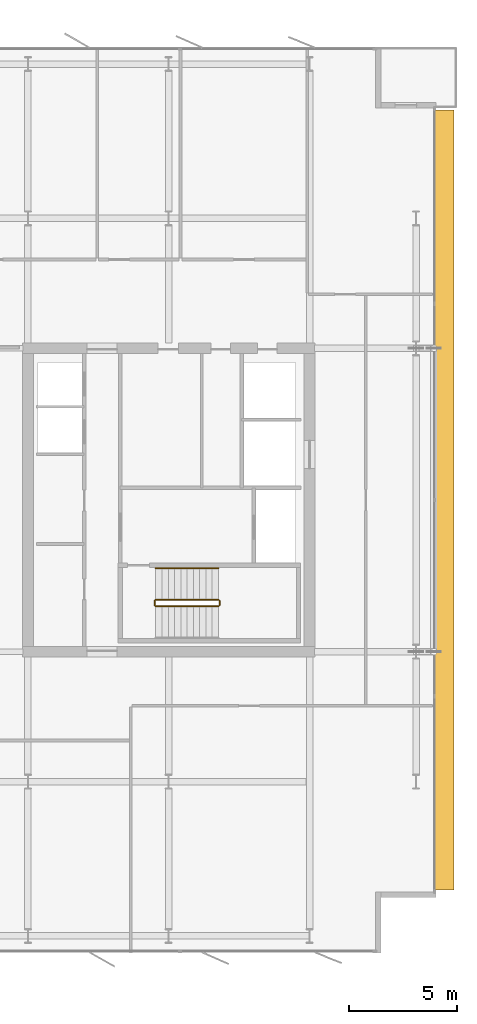
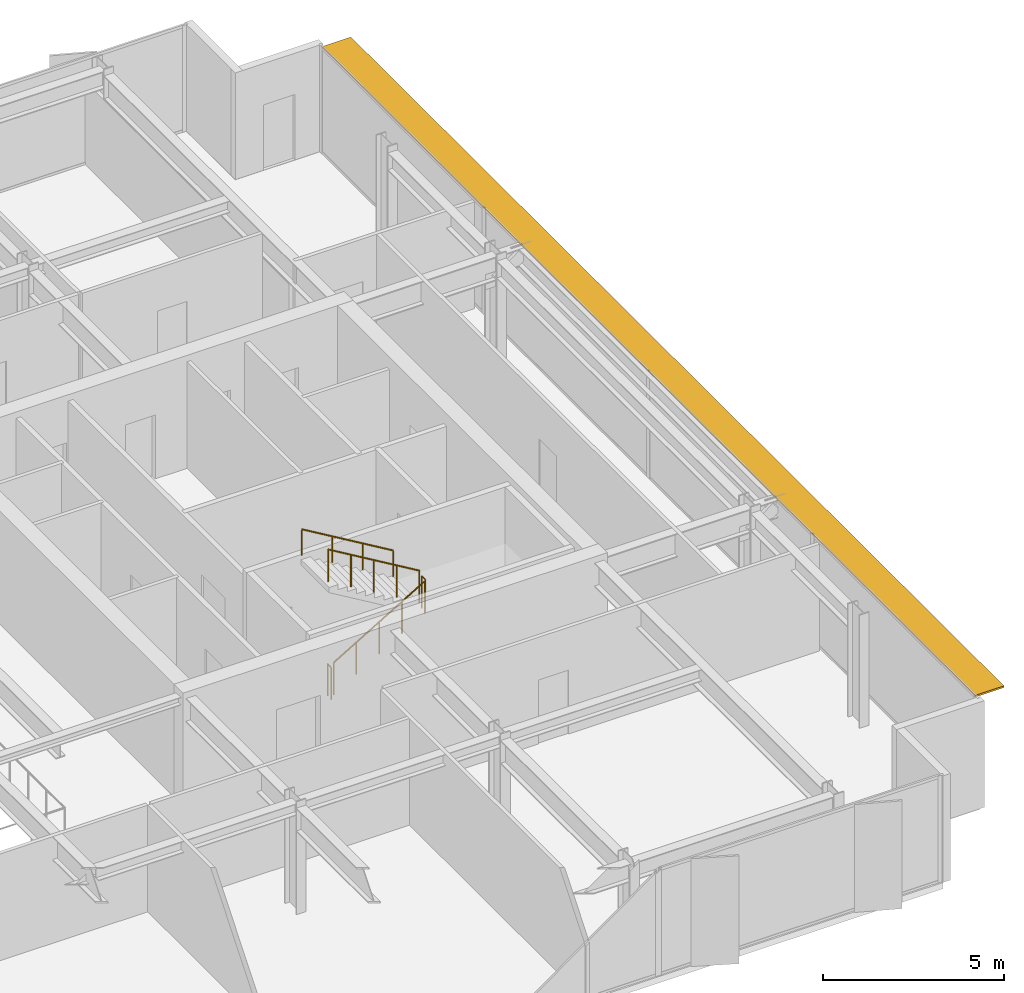
# One storey, part 18 of 19: 5 railings, 1 shading device.
"""IFC4 building model written with IfcOpenShell, lengths in metres."""

import ifcopenshell
import ifcopenshell.guid

model = None  # the IFC model being written
_history = None  # IfcOwnerHistory: only IFC2X3 demands one
_inside = {}  # id of a spatial element -> (the spatial element, [elements in it])
_under = {}  # id of a project, library or spatial element -> (it, [spatial elements below it])
_declared = {}  # id of a project -> (the project, [libraries it declares])
_typed = {}  # id of a type object -> (the type object, [elements of that type])
_made_of = {}  # id of a material, layer set ... -> (it, [elements and type objects made of it])


def new_model(schema):
    """Start an empty IFC model of exactly this schema.

    Asked for "IFC4X3", IfcOpenShell would pick the latest addendum, in which some entities
    have other attributes; the version numbers below select the first issue.
    IFC2X3 requires an IfcOwnerHistory on every rooted entity: one is made here for all.
    """
    global model, _history
    if schema == "IFC4X3":
        model = ifcopenshell.file(schema_version=(4, 3, 0, 0))
    else:
        model = ifcopenshell.file(schema=schema)
    _inside.clear()
    _under.clear()
    _declared.clear()
    _typed.clear()
    _made_of.clear()
    _history = None
    if model.schema == "IFC2X3":
        org = make("IfcOrganization", Name="unknown")
        user = make(
            "IfcPersonAndOrganization",
            ThePerson=make("IfcPerson", FamilyName="unknown"),
            TheOrganization=org,
        )
        app = make(
            "IfcApplication",
            ApplicationDeveloper=org,
            Version="unknown",
            ApplicationFullName="unknown",
            ApplicationIdentifier="unknown",
        )
        _history = make(
            "IfcOwnerHistory",
            OwningUser=user,
            OwningApplication=app,
            ChangeAction="ADDED",
            CreationDate=0,
        )
    return model


def make(cls, **values):
    """One entity of the class cls with the attributes given. An attribute that is None is left unset."""
    return model.create_entity(
        cls, **{name: value for name, value in values.items() if value is not None}
    )


def rooted(cls, **values):
    """An entity with a GlobalId (a new one), such as an element, a storey or a relation."""
    return make(cls, GlobalId=ifcopenshell.guid.new(), OwnerHistory=_history, **values)


def si_unit(unit_type, name, prefix=None):
    """IfcSIUnit, for example si_unit("LENGTHUNIT", "METRE", prefix="MILLI")."""
    return make("IfcSIUnit", UnitType=unit_type, Prefix=prefix, Name=name)


def assignment(units):
    """IfcUnitAssignment: the units of a project."""
    return None if units is None else make("IfcUnitAssignment", Units=units)


def point(xyz):
    """IfcCartesianPoint."""
    return None if xyz is None else make("IfcCartesianPoint", Coordinates=xyz)


def direction(xyz):
    """IfcDirection."""
    return None if xyz is None else make("IfcDirection", DirectionRatios=xyz)


def frame(location, z_axis=None, x_axis=None):
    """IfcAxis2Placement3D, a coordinate frame: its origin and axes. An axis left out is left unset."""
    return make(
        "IfcAxis2Placement3D",
        Location=point(location),
        Axis=direction(z_axis),
        RefDirection=direction(x_axis),
    )


def frame_2d(location, x_axis=None):
    """IfcAxis2Placement2D, a coordinate frame in the plane: its origin and x axis."""
    return make(
        "IfcAxis2Placement2D", Location=point(location), RefDirection=direction(x_axis)
    )


def origin():
    """The frame at (0, 0, 0) with its axes left unset."""
    return frame((0.0, 0.0, 0.0))


def origin_2d():
    """The frame at (0, 0) in the plane with its x axis left unset."""
    return frame_2d((0.0, 0.0))


def place(relative_to, where):
    """IfcLocalPlacement: puts the frame where relative to a parent placement (None: the world)."""
    return make(
        "IfcLocalPlacement", PlacementRelTo=relative_to, RelativePlacement=where
    )


def context(
    kind, dimensions, precision=None, world=None, true_north=None, identifier=None
):
    """IfcGeometricRepresentationContext, for example the 3D "Model" context."""
    return make(
        "IfcGeometricRepresentationContext",
        ContextIdentifier=identifier,
        ContextType=kind,
        CoordinateSpaceDimension=dimensions,
        Precision=precision,
        WorldCoordinateSystem=world,
        TrueNorth=true_north,
    )


def subcontext(parent, identifier, kind, view, scale=None):
    """IfcGeometricRepresentationSubContext, for example "Body" below "Model"."""
    return make(
        "IfcGeometricRepresentationSubContext",
        ContextIdentifier=identifier,
        ContextType=kind,
        ParentContext=parent,
        TargetScale=scale,
        TargetView=view,
    )


def project(units=None, contexts=None):
    """IfcProject with its units and contexts."""
    return rooted(
        "IfcProject",
        Name="project",
        RepresentationContexts=contexts,
        UnitsInContext=assignment(units),
    )


def spatial(cls, under=None, at=None, **own):
    """A site, building, storey or space (cls), placed at a placement, below another one or the project."""
    s = rooted(cls, ObjectPlacement=at, **own)
    if under is not None:
        _under.setdefault(under.id(), (under, []))[1].append(s)
    return s


def polyline(points):
    """IfcPolyline through the points."""
    return make("IfcPolyline", Points=[point(p) for p in points])


def profile(cls, at=None, kind="AREA", **sizes):
    """A parametric profile (cls). Its sizes go by their IFC names, for example OverallWidth=200.0."""
    return make(cls, ProfileType=kind, Position=at, **sizes)


def circle(**sizes):
    """IfcCircleProfileDef."""
    return profile("IfcCircleProfileDef", **sizes)


def outline(outer, holes=None, kind="AREA"):
    """IfcArbitraryClosedProfileDef: a profile drawn as a closed curve; with holes, ...WithVoids."""
    if holes is None:
        return make("IfcArbitraryClosedProfileDef", ProfileType=kind, OuterCurve=outer)
    return make(
        "IfcArbitraryProfileDefWithVoids",
        ProfileType=kind,
        OuterCurve=outer,
        InnerCurves=holes,
    )


def extrude(swept, where, along, depth):
    """IfcExtrudedAreaSolid: the profile swept, set in the frame where, extruded along a direction by depth."""
    return make(
        "IfcExtrudedAreaSolid",
        SweptArea=swept,
        Position=where,
        ExtrudedDirection=direction(along),
        Depth=depth,
    )


def shape(context_of_items, identifier, shape_type, items):
    """IfcShapeRepresentation: the items that make up one representation, for example the "Body"."""
    return make(
        "IfcShapeRepresentation",
        ContextOfItems=context_of_items,
        RepresentationIdentifier=identifier,
        RepresentationType=shape_type,
        Items=items,
    )


def material(Name=None, Category=None):
    """IfcMaterial."""
    return make("IfcMaterial", Name=Name, Category=Category)


def layer(
    of_material, thickness, ventilated=None, Name=None, Category=None, Priority=None
):
    """IfcMaterialLayer: one layer of a wall or slab, of a material (None: an air gap)."""
    return make(
        "IfcMaterialLayer",
        Material=of_material,
        LayerThickness=thickness,
        IsVentilated=ventilated,
        Name=Name,
        Category=Category,
        Priority=Priority,
    )


def layer_set(layers, Name=None):
    """IfcMaterialLayerSet."""
    return make("IfcMaterialLayerSet", MaterialLayers=layers, LayerSetName=Name)


def made_of(thing, what):
    """Note that an element or type object is made of a material, layer set ...; save() writes the relation."""
    if what is not None:
        _made_of.setdefault(what.id(), (what, []))[1].append(thing)
    return thing


def type_object(cls, material=None, **own):
    """A type object (cls), such as IfcWallType, which elements share."""
    return made_of(rooted(cls, **own), material)


def element(
    cls,
    number,
    at=None,
    inside=None,
    cuts=None,
    type_object=None,
    material=None,
    context=None,
    identifier="Body",
    shape_type=None,
    held_by="IfcProductDefinitionShape",
    body=None,
    shapes=None,
    **own,
):
    """One element of the class cls, such as IfcWall. Its Tag is "e" and its number.

    at: its placement. inside: the storey or other place that contains it. cuts: it is an
    opening in that element (IfcRelVoidsElement). A single representation is given by context,
    identifier, shape_type and body (its items); several are given by shapes. held_by: the class
    of the entity that holds the representations. save() writes the other relations.
    """
    e = rooted(cls, Tag="e%d" % number, ObjectPlacement=at, **own)
    if body is not None:
        shapes = [shape(context, identifier, shape_type, body)]
    if shapes is not None:
        e.Representation = make(held_by, Representations=shapes)
    if inside is not None:
        _inside.setdefault(inside.id(), (inside, []))[1].append(e)
    if cuts is not None:
        rooted(
            "IfcRelVoidsElement", RelatingBuildingElement=cuts, RelatedOpeningElement=e
        )
    if type_object is not None:
        _typed.setdefault(type_object.id(), (type_object, []))[1].append(e)
    return made_of(e, material)


def aggregate(whole, parts):
    """IfcRelAggregates: a whole, such as a stair, and the parts it consists of."""
    return rooted("IfcRelAggregates", RelatingObject=whole, RelatedObjects=parts)


def save(model, path):
    """Write the relations noted so far, then the file.

    IfcRelAggregates (storeys below a building ...), IfcRelContainedInSpatialStructure (elements
    in a storey), IfcRelDefinesByType, IfcRelAssociatesMaterial and IfcRelDeclares: one each for
    every whole, place, type object, material and project.
    """
    for whole, parts in _under.values():
        aggregate(whole, parts)
    for where, things in _inside.values():
        rooted(
            "IfcRelContainedInSpatialStructure",
            RelatedElements=things,
            RelatingStructure=where,
        )
    for kind, things in _typed.values():
        rooted("IfcRelDefinesByType", RelatedObjects=things, RelatingType=kind)
    for what, things in _made_of.values():
        rooted("IfcRelAssociatesMaterial", RelatedObjects=things, RelatingMaterial=what)
    for by, libraries in _declared.values():
        rooted("IfcRelDeclares", RelatingContext=by, RelatedDefinitions=libraries)
    model.write(path)


model = new_model("IFC4")

# Units and contexts
model_context = context("Model", 3, precision=1e-05, world=origin(), true_north=direction((0.0, 1.0)))
body_context = subcontext(model_context, "Body", "Model", "MODEL_VIEW")
ifc_project = project(units=[si_unit("LENGTHUNIT", "METRE"), si_unit("AREAUNIT", "SQUARE_METRE"), si_unit("VOLUMEUNIT", "CUBIC_METRE"), si_unit("PLANEANGLEUNIT", "RADIAN"), si_unit("MASSUNIT", "GRAM", prefix="KILO")], contexts=[model_context])

# Site, building, storey
site_placement = place(None, origin())
site = spatial("IfcSite", under=ifc_project, at=site_placement, CompositionType="ELEMENT")
building_placement = place(site_placement, origin())
building = spatial("IfcBuilding", under=site, at=building_placement, Name="Putna Gate Headquarters", CompositionType="ELEMENT")
storey_placement = place(building_placement, frame((0.0, 0.0, 259.39990234375)))
storey = spatial("IfcBuildingStorey", under=building, at=storey_placement, Name="L65", CompositionType="ELEMENT", Elevation=259.39990234375)

# Railings
ifc_material_1 = material(Name="Powder-coated steel stair guardrail", Category="steel")
railing_type_1 = type_object("IfcRailingType", Name="RAIL-STAIR-GUARD-1100", PredefinedType="GUARDRAIL", material=ifc_material_1)
railing_1_placement = place(storey_placement, frame((57.89990234375, 21.10009765625, 0.1728515625)))
element("IfcRailing", 1, at=railing_1_placement, inside=storey, type_object=railing_type_1, Name="L65 ST2 stair guard 1", PredefinedType="GUARDRAIL", context=body_context, shape_type="SweptSolid", body=[
    extrude(circle(Radius=0.02392578125, at=origin_2d()), frame((0.0, 0.0, 1.076171875), z_axis=(0.859160404282, 0.0, 0.51170636083), x_axis=(0.0, 1.0, 0.0)), (0.0, 0.0, 1.0), 3.37548828125),
    extrude(circle(Radius=0.02099609375, at=origin_2d()), origin(), (0.0, 0.0, 1.0), 1.052001953125),
    extrude(circle(Radius=0.02099609375, at=origin_2d()), frame((0.72509765625, 0.0, 0.431884765625)), (0.0, 0.0, 1.0), 1.052001953125),
    extrude(circle(Radius=0.02099609375, at=origin_2d()), frame((1.4501953125, 0.0, 0.86376953125)), (0.0, 0.0, 1.0), 1.052001953125),
    extrude(circle(Radius=0.02099609375, at=origin_2d()), frame((2.175048828125, 0.0, 1.29541015625)), (0.0, 0.0, 1.0), 1.052001953125),
    extrude(circle(Radius=0.02099609375, at=origin_2d()), frame((2.900146484375, 0.0, 1.727294921875)), (0.0, 0.0, 1.0), 1.052001953125),
])
railing_2_placement = place(storey_placement, frame((60.85009765625, 21.14990234375, 1.900146484375)))
element("IfcRailing", 2, at=railing_2_placement, inside=storey, type_object=railing_type_1, Name="L65 ST2 stair guard 2", PredefinedType="GUARDRAIL", context=body_context, shape_type="SweptSolid", body=[
    extrude(circle(Radius=0.02392578125, at=origin_2d()), frame((0.0, 0.0, 1.076171875), z_axis=(0.0, 1.0, 0.0), x_axis=(-1.0, 0.0, 0.0)), (0.0, 0.0, 1.0), 0.2001953125),
    extrude(circle(Radius=0.02099609375, at=origin_2d()), origin(), (0.0, 0.0, 1.0), 1.052001953125),
    extrude(circle(Radius=0.02099609375, at=origin_2d()), frame((0.0, 0.2001953125, 0.0)), (0.0, 0.0, 1.0), 1.052001953125),
])
railing_3_placement = place(storey_placement, frame((60.800048828125, 21.39990234375, 2.07275390625)))
element("IfcRailing", 3, at=railing_3_placement, inside=storey, type_object=railing_type_1, Name="L65 ST2 stair guard 3", PredefinedType="GUARDRAIL", context=body_context, shape_type="SweptSolid", body=[
    extrude(circle(Radius=0.02392578125, at=origin_2d()), frame((0.0, 0.0, 1.076171875), z_axis=(-0.859160404282, 0.0, 0.51170636083), x_axis=(0.0, -1.0, 0.0)), (0.0, 0.0, 1.0), 3.37548828125),
    extrude(circle(Radius=0.02099609375, at=origin_2d()), origin(), (0.0, 0.0, 1.0), 1.052001953125),
    extrude(circle(Radius=0.02099609375, at=origin_2d()), frame((-0.72509765625, 0.0, 0.431884765625)), (0.0, 0.0, 1.0), 1.052001953125),
    extrude(circle(Radius=0.02099609375, at=origin_2d()), frame((-1.4501953125, 0.0, 0.86376953125)), (0.0, 0.0, 1.0), 1.052001953125),
    extrude(circle(Radius=0.02099609375, at=origin_2d()), frame((-2.175048828125, 0.0, 1.29541015625)), (0.0, 0.0, 1.0), 1.052001953125),
    extrude(circle(Radius=0.02099609375, at=origin_2d()), frame((-2.900146484375, 0.0, 1.727294921875)), (0.0, 0.0, 1.0), 1.052001953125),
])
railing_4_placement = place(storey_placement, frame((57.85009765625, 21.14990234375, 0.0)))
element("IfcRailing", 4, at=railing_4_placement, inside=storey, type_object=railing_type_1, Name="L65 ST2 stair guard 4", PredefinedType="GUARDRAIL", context=body_context, shape_type="SweptSolid", body=[
    extrude(circle(Radius=0.02392578125, at=origin_2d()), frame((0.0, 0.0, 1.076171875), z_axis=(0.0, 1.0, 0.0), x_axis=(-1.0, 0.0, 0.0)), (0.0, 0.0, 1.0), 0.2001953125),
    extrude(circle(Radius=0.02099609375, at=origin_2d()), origin(), (0.0, 0.0, 1.0), 1.052001953125),
    extrude(circle(Radius=0.02099609375, at=origin_2d()), frame((0.0, 0.2001953125, 0.0)), (0.0, 0.0, 1.0), 1.052001953125),
])
ifc_material_2 = material(Name="Brushed stainless steel handrail", Category="steel")
railing_type_2 = type_object("IfcRailingType", Name="RAIL-STAIR-HAND-900", PredefinedType="HANDRAIL", material=ifc_material_2)
railing_5_placement = place(storey_placement, frame((60.800048828125, 22.85009765625, 2.07275390625)))
element("IfcRailing", 5, at=railing_5_placement, inside=storey, type_object=railing_type_2, Name="L65 ST2 stair handrail 2", PredefinedType="HANDRAIL", context=body_context, shape_type="SweptSolid", body=[
    extrude(circle(Radius=0.02392578125, at=origin_2d()), frame((0.0, 0.0, 0.8759765625), z_axis=(-0.859160404282, 0.0, 0.51170636083), x_axis=(0.0, -1.0, 0.0)), (0.0, 0.0, 1.0), 3.37548828125),
    extrude(circle(Radius=0.02099609375, at=origin_2d()), origin(), (0.0, 0.0, 1.0), 0.851806640625),
    extrude(circle(Radius=0.02099609375, at=origin_2d()), frame((-0.966796875, 0.0, 0.57568359375)), (0.0, 0.0, 1.0), 0.851806640625),
    extrude(circle(Radius=0.02099609375, at=origin_2d()), frame((-1.933349609375, 0.0, 1.151611328125)), (0.0, 0.0, 1.0), 0.851806640625),
    extrude(circle(Radius=0.02099609375, at=origin_2d()), frame((-2.900146484375, 0.0, 1.727294921875)), (0.0, 0.0, 1.0), 0.851806640625),
])

# Shading device
ifc_material_3 = material(Name="Anodised architectural bronze sunshade blade", Category="aluminium")
ifc_layer = layer(ifc_material_3, 0.06005859375)
ifc_layer_set = layer_set([ifc_layer], Name="Anodised architectural bronze sunshade blade")
shading_device_type = type_object("IfcShadingDeviceType", Name="SHADE-SAIL-BLADE-900", PredefinedType="USERDEFINED", material=ifc_layer_set)
shading_device_placement = place(storey_placement, frame((0.0, 0.0, 3.533203125)))
element("IfcShadingDevice", 6, at=shading_device_placement, inside=storey, type_object=shading_device_type, Name="L65 East Sail Horizontal Bronze Sunshade Blade", ObjectType="SUNSHADE", PredefinedType="USERDEFINED", context=body_context, shape_type="SweptSolid", body=[
    extrude(outline(polyline([(70.767822265625, 8.0), (71.66796875, 8.0), (71.66796875, 44.0), (70.767822265625, 44.0), (70.767822265625, 8.0)])), origin(), (0.0, 0.0, 1.0), 0.059814453125),
])

save(model, "model.ifc")
